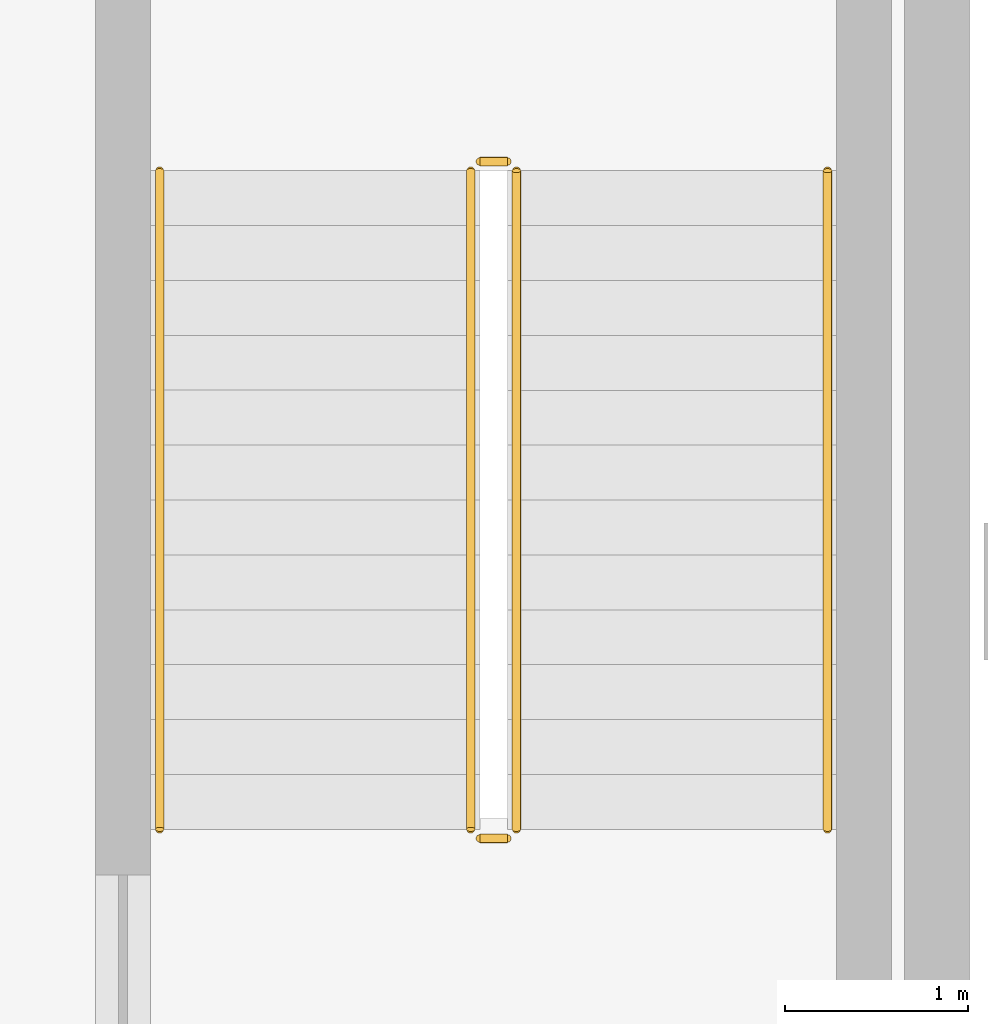
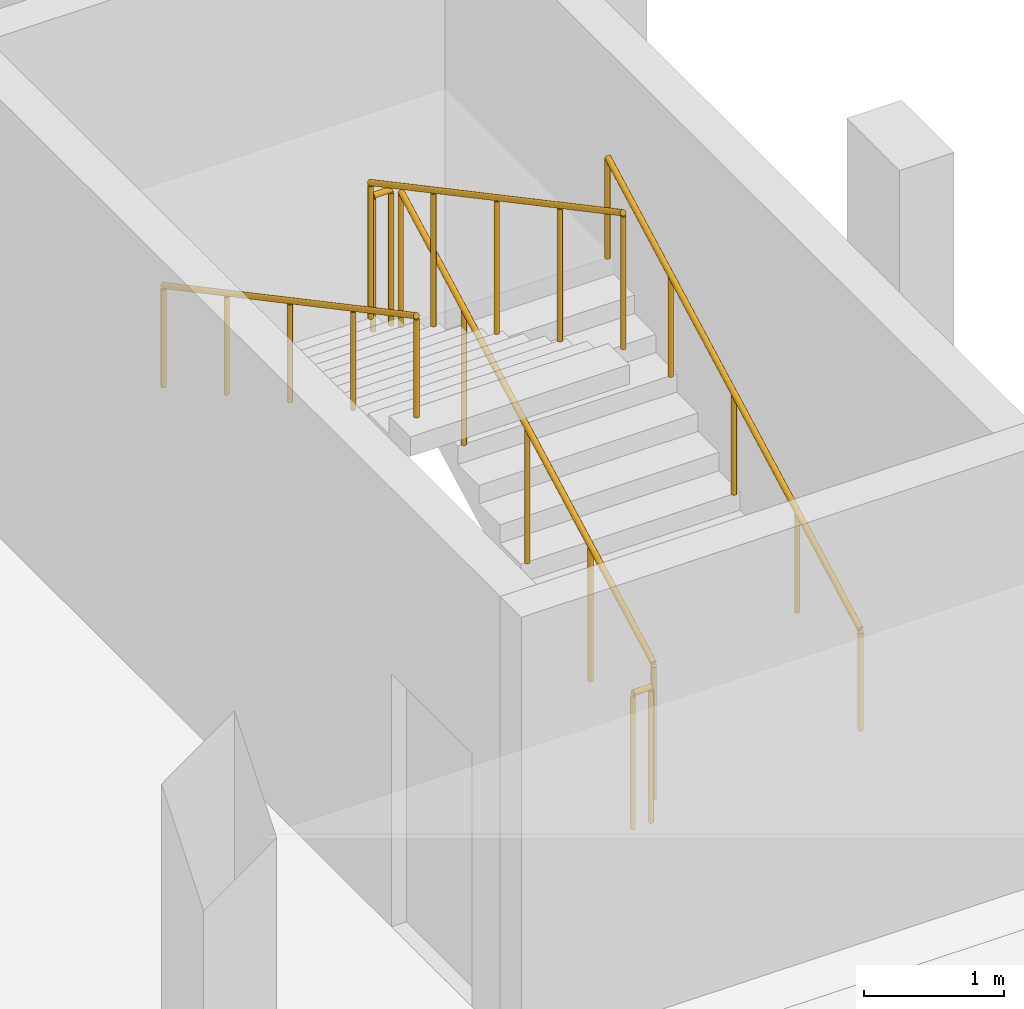
# One storey, part 61 of 62: 6 railings.
"""IFC4 building model written with IfcOpenShell, lengths in metres."""

from ifc_helpers import new_model, si_unit, direction, frame, origin, origin_2d, place, context, subcontext, project, spatial, circle, extrude, material, type_object, element, save


model = new_model("IFC4")

# Units and contexts
model_context = context("Model", 3, precision=1e-05, world=origin(), true_north=direction((0.0, 1.0)))
body_context = subcontext(model_context, "Body", "Model", "MODEL_VIEW")
ifc_project = project(units=[si_unit("LENGTHUNIT", "METRE"), si_unit("AREAUNIT", "SQUARE_METRE"), si_unit("VOLUMEUNIT", "CUBIC_METRE"), si_unit("PLANEANGLEUNIT", "RADIAN"), si_unit("MASSUNIT", "GRAM", prefix="KILO")], contexts=[model_context])

# Site, building, storey
site_placement = place(None, origin())
site = spatial("IfcSite", under=ifc_project, at=site_placement, CompositionType="ELEMENT")
building_placement = place(site_placement, origin())
building = spatial("IfcBuilding", under=site, at=building_placement, Name="Valkovuoma Quantum and Materials Research Institute", CompositionType="ELEMENT")
storey_placement = place(building_placement, frame((0.0, 0.0, 13.1201171875)))
storey = spatial("IfcBuildingStorey", under=building, at=storey_placement, Name="L03", CompositionType="ELEMENT", Elevation=13.1201171875)

# Railings
ifc_material_1 = material(Name="Painted steel stair balustrade", Category="steel")
railing_type_1 = type_object("IfcRailingType", Name="Rail-GRD-ST", PredefinedType="BALUSTRADE", material=ifc_material_1)
railing_1_placement = place(storey_placement, frame((163.300048828125, 59.89990234375, 0.159912109375)))
element("IfcRailing", 1, at=railing_1_placement, inside=storey, type_object=railing_type_1, Name="L03 ST-3 stair guard 1", PredefinedType="BALUSTRADE", context=body_context, shape_type="SweptSolid", body=[
    extrude(circle(Radius=0.02392578125, at=origin_2d()), frame((0.0, 0.0, 1.17578125), z_axis=(0.0, 0.882366192074, 0.470563389019), x_axis=(-1.0, 0.0, 0.0)), (0.0, 0.0, 1.0), 4.080078125),
    extrude(circle(Radius=0.02099609375, at=origin_2d()), origin(), (0.0, 0.0, 1.0), 1.15185546875),
    extrude(circle(Radius=0.02099609375, at=origin_2d()), frame((0.0, 0.89990234375, 0.47998046875)), (0.0, 0.0, 1.0), 1.15185546875),
    extrude(circle(Radius=0.02099609375, at=origin_2d()), frame((0.0, 1.800048828125, 0.9599609375)), (0.0, 0.0, 1.0), 1.15185546875),
    extrude(circle(Radius=0.02099609375, at=origin_2d()), frame((0.0, 2.7001953125, 1.43994140625)), (0.0, 0.0, 1.0), 1.15185546875),
    extrude(circle(Radius=0.02099609375, at=origin_2d()), frame((0.0, 3.60009765625, 1.919921875)), (0.0, 0.0, 1.0), 1.15185546875),
])
railing_2_placement = place(storey_placement, frame((163.25, 63.550048828125, 2.079833984375)))
element("IfcRailing", 2, at=railing_2_placement, inside=storey, type_object=railing_type_1, Name="L03 ST-3 stair guard 2", PredefinedType="BALUSTRADE", context=body_context, shape_type="SweptSolid", body=[
    extrude(circle(Radius=0.02392578125, at=origin_2d()), frame((0.0, 0.0, 1.17578125), z_axis=(-1.0, 0.0, 0.0), x_axis=(0.0, -1.0, 0.0)), (0.0, 0.0, 1.0), 0.14990234375),
    extrude(circle(Radius=0.02099609375, at=origin_2d()), origin(), (0.0, 0.0, 1.0), 1.15185546875),
    extrude(circle(Radius=0.02099609375, at=origin_2d()), frame((-0.14990234375, 0.0, 0.0)), (0.0, 0.0, 1.0), 1.15185546875),
])
railing_3_placement = place(storey_placement, frame((163.050048828125, 63.5, 2.239990234375)))
element("IfcRailing", 3, at=railing_3_placement, inside=storey, type_object=railing_type_1, Name="L03 ST-3 stair guard 3", PredefinedType="BALUSTRADE", context=body_context, shape_type="SweptSolid", body=[
    extrude(circle(Radius=0.02392578125, at=origin_2d()), frame((0.0, 0.0, 1.17578125), z_axis=(0.0, -0.882366192074, 0.470563389019), x_axis=(1.0, 0.0, 0.0)), (0.0, 0.0, 1.0), 4.080078125),
    extrude(circle(Radius=0.02099609375, at=origin_2d()), origin(), (0.0, 0.0, 1.0), 1.15185546875),
    extrude(circle(Radius=0.02099609375, at=origin_2d()), frame((0.0, -0.89990234375, 0.47998046875)), (0.0, 0.0, 1.0), 1.15185546875),
    extrude(circle(Radius=0.02099609375, at=origin_2d()), frame((0.0, -1.800048828125, 0.9599609375)), (0.0, 0.0, 1.0), 1.15185546875),
    extrude(circle(Radius=0.02099609375, at=origin_2d()), frame((0.0, -2.7001953125, 1.43994140625)), (0.0, 0.0, 1.0), 1.15185546875),
    extrude(circle(Radius=0.02099609375, at=origin_2d()), frame((0.0, -3.60009765625, 1.919921875)), (0.0, 0.0, 1.0), 1.15185546875),
])
railing_4_placement = place(storey_placement, frame((163.25, 59.85009765625, 0.0)))
element("IfcRailing", 4, at=railing_4_placement, inside=storey, type_object=railing_type_1, Name="L03 ST-3 stair guard 4", PredefinedType="BALUSTRADE", context=body_context, shape_type="SweptSolid", body=[
    extrude(circle(Radius=0.02392578125, at=origin_2d()), frame((0.0, 0.0, 1.17578125), z_axis=(-1.0, 0.0, 0.0), x_axis=(0.0, -1.0, 0.0)), (0.0, 0.0, 1.0), 0.14990234375),
    extrude(circle(Radius=0.02099609375, at=origin_2d()), origin(), (0.0, 0.0, 1.0), 1.15185546875),
    extrude(circle(Radius=0.02099609375, at=origin_2d()), frame((-0.14990234375, 0.0, 0.0)), (0.0, 0.0, 1.0), 1.15185546875),
])
ifc_material_2 = material(Name="Brushed stainless steel handrail", Category="steel")
railing_type_2 = type_object("IfcRailingType", Name="Rail-HR-ST", PredefinedType="HANDRAIL", material=ifc_material_2)
railing_5_placement = place(storey_placement, frame((165.0, 59.89990234375, 0.159912109375)))
element("IfcRailing", 5, at=railing_5_placement, inside=storey, type_object=railing_type_2, Name="L03 ST-3 stair handrail 1", PredefinedType="HANDRAIL", context=body_context, shape_type="SweptSolid", body=[
    extrude(circle(Radius=0.02392578125, at=origin_2d()), frame((0.0, 0.0, 0.8759765625), z_axis=(0.0, 0.882366192074, 0.470563389019), x_axis=(-1.0, 0.0, 0.0)), (0.0, 0.0, 1.0), 4.080078125),
    extrude(circle(Radius=0.02099609375, at=origin_2d()), origin(), (0.0, 0.0, 1.0), 0.851806640625),
    extrude(circle(Radius=0.02099609375, at=origin_2d()), frame((0.0, 0.89990234375, 0.47998046875)), (0.0, 0.0, 1.0), 0.851806640625),
    extrude(circle(Radius=0.02099609375, at=origin_2d()), frame((0.0, 1.800048828125, 0.9599609375)), (0.0, 0.0, 1.0), 0.851806640625),
    extrude(circle(Radius=0.02099609375, at=origin_2d()), frame((0.0, 2.7001953125, 1.43994140625)), (0.0, 0.0, 1.0), 0.851806640625),
    extrude(circle(Radius=0.02099609375, at=origin_2d()), frame((0.0, 3.60009765625, 1.919921875)), (0.0, 0.0, 1.0), 0.851806640625),
])
railing_6_placement = place(storey_placement, frame((161.35009765625, 63.5, 2.239990234375)))
element("IfcRailing", 6, at=railing_6_placement, inside=storey, type_object=railing_type_2, Name="L03 ST-3 stair handrail 2", PredefinedType="HANDRAIL", context=body_context, shape_type="SweptSolid", body=[
    extrude(circle(Radius=0.02392578125, at=origin_2d()), frame((0.0, 0.0, 0.8759765625), z_axis=(0.0, -0.882366192074, 0.470563389019), x_axis=(1.0, 0.0, 0.0)), (0.0, 0.0, 1.0), 4.080078125),
    extrude(circle(Radius=0.02099609375, at=origin_2d()), origin(), (0.0, 0.0, 1.0), 0.851806640625),
    extrude(circle(Radius=0.02099609375, at=origin_2d()), frame((0.0, -0.89990234375, 0.47998046875)), (0.0, 0.0, 1.0), 0.851806640625),
    extrude(circle(Radius=0.02099609375, at=origin_2d()), frame((0.0, -1.800048828125, 0.9599609375)), (0.0, 0.0, 1.0), 0.851806640625),
    extrude(circle(Radius=0.02099609375, at=origin_2d()), frame((0.0, -2.7001953125, 1.43994140625)), (0.0, 0.0, 1.0), 0.851806640625),
    extrude(circle(Radius=0.02099609375, at=origin_2d()), frame((0.0, -3.60009765625, 1.919921875)), (0.0, 0.0, 1.0), 0.851806640625),
])

save(model, "model.ifc")
